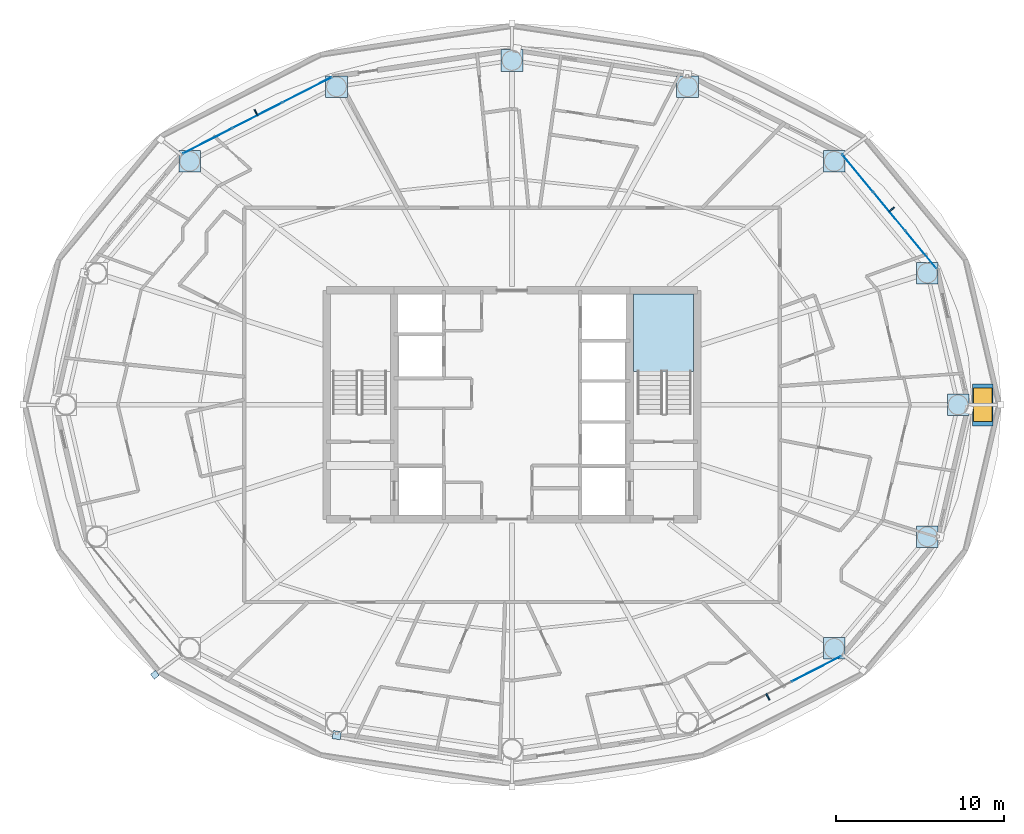
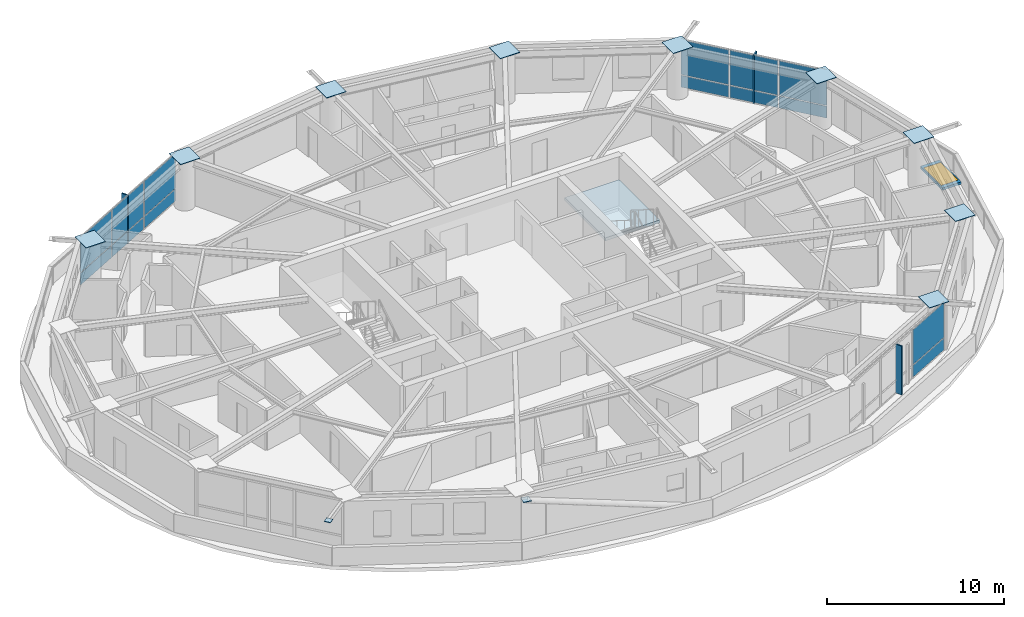
# One storey, part 18 of 27: 28 plates, 2 slabs, 1 door, 1 opening, 4 elements without a shape of their own.
"""IFC4 building model written with IfcOpenShell, lengths in metres."""

from ifc_helpers import new_model, si_unit, direction, frame, origin, origin_2d, place, context, subcontext, project, spatial, polyline, rectangle, outline, extrude, material, layer, layer_set, type_object, element, fill, aggregate, save


model = new_model("IFC4")

# Units and contexts
model_context = context("Model", 3, precision=1e-05, world=origin(), true_north=direction((0.0, 1.0)))
body_context = subcontext(model_context, "Body", "Model", "MODEL_VIEW")
ifc_project = project(units=[si_unit("LENGTHUNIT", "METRE"), si_unit("AREAUNIT", "SQUARE_METRE"), si_unit("VOLUMEUNIT", "CUBIC_METRE"), si_unit("PLANEANGLEUNIT", "RADIAN"), si_unit("MASSUNIT", "GRAM", prefix="KILO")], contexts=[model_context])

# Site, building, storey
site_placement = place(None, origin())
site = spatial("IfcSite", under=ifc_project, at=site_placement, CompositionType="ELEMENT")
building_placement = place(site_placement, origin())
building = spatial("IfcBuilding", under=site, at=building_placement, Name="Sarneth Arch Tower", CompositionType="ELEMENT")
storey_placement = place(building_placement, frame((0.0, 0.0, 150.60009765625)))
storey = spatial("IfcBuildingStorey", under=building, at=storey_placement, Name="L37", CompositionType="ELEMENT", Elevation=150.60009765625)

# Curtain wall, plates
ifc_material_1 = material(Name="Anodised aluminium Type AA25 and solar-control low-e laminated IGU", Category="aluminium")
ifc_layer_1 = layer(ifc_material_1, 0.169921875)
ifc_layer_set_1 = layer_set([ifc_layer_1], Name="Anodised aluminium Type AA25 and solar-control low-e laminated IGU")
curtain_wall_type = type_object("IfcCurtainWallType", Name="CW-RES-MID", PredefinedType="NOTDEFINED", material=ifc_layer_set_1)
curtain_wall_1_placement = place(storey_placement, origin())
curtain_wall_1 = element("IfcCurtainWall", 1, at=curtain_wall_1_placement, inside=storey, type_object=curtain_wall_type, Name="L37 Unitised curtain wall facet 02", PredefinedType="NOTDEFINED")
ifc_material_2 = material(Name="Solar-control low-e laminated IGU", Category="glass")
ifc_layer_2 = layer(ifc_material_2, 0.028076171875)
ifc_layer_set_2 = layer_set([ifc_layer_2], Name="Solar-control low-e laminated IGU")
plate_type_1 = type_object("IfcPlateType", Name="CW-PANEL", PredefinedType="CURTAIN_PANEL", material=ifc_layer_set_2)
plate_1_placement = place(storey_placement, frame((72.280029296875, 51.21826171875, 0.059814453125), z_axis=(0.0, 0.0, 1.0), x_axis=(-0.637330298558, 0.770590741276, 0.0)))
plate_1 = element("IfcPlate", 2, at=plate_1_placement, type_object=plate_type_1, Name="Curtain wall glazed vision pane CW-L37-F02/P00-00", PredefinedType="CURTAIN_PANEL", context=body_context, shape_type="SweptSolid", body=[
    extrude(rectangle(XDim=2.8681640625, YDim=0.028076171875, at=origin_2d()), origin(), (0.0, 0.0, 1.0), 0.81005859375),
])
plate_2_placement = place(storey_placement, frame((72.280029296875, 51.21826171875, 0.93017578125), z_axis=(0.0, 0.0, 1.0), x_axis=(-0.637330298558, 0.770590741276, 0.0)))
plate_2 = element("IfcPlate", 3, at=plate_2_placement, type_object=plate_type_1, Name="Curtain wall glazed vision pane CW-L37-F02/P00-01", PredefinedType="CURTAIN_PANEL", context=body_context, shape_type="SweptSolid", body=[
    extrude(rectangle(XDim=2.8681640625, YDim=0.028076171875, at=origin_2d()), origin(), (0.0, 0.0, 1.0), 2.389892578125),
])
plate_3_placement = place(storey_placement, frame((70.404296875, 53.486328125, 0.059814453125), z_axis=(0.0, 0.0, 1.0), x_axis=(-0.637330298558, 0.770590741276, 0.0)))
plate_3 = element("IfcPlate", 4, at=plate_3_placement, type_object=plate_type_1, Name="Curtain wall glazed vision pane CW-L37-F02/P01-00", PredefinedType="CURTAIN_PANEL", context=body_context, shape_type="SweptSolid", body=[
    extrude(rectangle(XDim=2.898193359375, YDim=0.028076171875, at=origin_2d()), origin(), (0.0, 0.0, 1.0), 0.81005859375),
])
plate_4_placement = place(storey_placement, frame((70.404296875, 53.486328125, 0.93017578125), z_axis=(0.0, 0.0, 1.0), x_axis=(-0.637330298558, 0.770590741276, 0.0)))
plate_4 = element("IfcPlate", 5, at=plate_4_placement, type_object=plate_type_1, Name="Curtain wall glazed vision pane CW-L37-F02/P01-01", PredefinedType="CURTAIN_PANEL", context=body_context, shape_type="SweptSolid", body=[
    extrude(rectangle(XDim=2.898193359375, YDim=0.028076171875, at=origin_2d()), origin(), (0.0, 0.0, 1.0), 2.389892578125),
])
plate_5_placement = place(storey_placement, frame((68.5283203125, 55.75439453125, 0.059814453125), z_axis=(0.0, 0.0, 1.0), x_axis=(-0.637330298558, 0.770590741276, 0.0)))
plate_5 = element("IfcPlate", 6, at=plate_5_placement, type_object=plate_type_1, Name="Curtain wall glazed vision pane CW-L37-F02/P02-00", PredefinedType="CURTAIN_PANEL", context=body_context, shape_type="SweptSolid", body=[
    extrude(rectangle(XDim=2.8681640625, YDim=0.028076171875, at=origin_2d()), origin(), (0.0, 0.0, 1.0), 0.81005859375),
])
plate_6_placement = place(storey_placement, frame((68.5283203125, 55.75439453125, 0.93017578125), z_axis=(0.0, 0.0, 1.0), x_axis=(-0.637330298558, 0.770590741276, 0.0)))
plate_6 = element("IfcPlate", 7, at=plate_6_placement, type_object=plate_type_1, Name="Curtain wall glazed vision pane CW-L37-F02/P02-01", PredefinedType="CURTAIN_PANEL", context=body_context, shape_type="SweptSolid", body=[
    extrude(rectangle(XDim=2.8681640625, YDim=0.028076171875, at=origin_2d()), origin(), (0.0, 0.0, 1.0), 2.389892578125),
])
aggregate(curtain_wall_1, [plate_1, plate_2, plate_3, plate_4, plate_5, plate_6])

curtain_wall_2_placement = place(storey_placement, origin())
curtain_wall_2 = element("IfcCurtainWall", 8, at=curtain_wall_2_placement, inside=storey, type_object=curtain_wall_type, Name="L37 Unitised curtain wall facet 06", PredefinedType="NOTDEFINED")
plate_7_placement = place(storey_placement, frame((35.83837890625, 60.70703125, 0.059814453125), z_axis=(0.0, 0.0, 1.0), x_axis=(-0.88987293003, -0.456208470329, 0.0)))
plate_7 = element("IfcPlate", 9, at=plate_7_placement, type_object=plate_type_1, Name="Curtain wall glazed vision pane CW-L37-F06/P00-00", PredefinedType="CURTAIN_PANEL", context=body_context, shape_type="SweptSolid", body=[
    extrude(rectangle(XDim=3.248779296875, YDim=0.028076171875, at=origin_2d()), origin(), (0.0, 0.0, 1.0), 0.81005859375),
])
plate_8_placement = place(storey_placement, frame((35.83837890625, 60.70703125, 0.93017578125), z_axis=(0.0, 0.0, 1.0), x_axis=(-0.88987293003, -0.456208470329, 0.0)))
plate_8 = element("IfcPlate", 10, at=plate_8_placement, type_object=plate_type_1, Name="Curtain wall glazed vision pane CW-L37-F06/P00-01", PredefinedType="CURTAIN_PANEL", context=body_context, shape_type="SweptSolid", body=[
    extrude(rectangle(XDim=3.248779296875, YDim=0.028076171875, at=origin_2d()), origin(), (0.0, 0.0, 1.0), 2.389892578125),
])
plate_9_placement = place(storey_placement, frame((32.880615234375, 59.190673828125, 0.059814453125), z_axis=(0.0, 0.0, 1.0), x_axis=(-0.88987293003, -0.456208470329, 0.0)))
plate_9 = element("IfcPlate", 11, at=plate_9_placement, type_object=plate_type_1, Name="Curtain wall glazed vision pane CW-L37-F06/P01-00", PredefinedType="CURTAIN_PANEL", context=body_context, shape_type="SweptSolid", body=[
    extrude(rectangle(XDim=3.27880859375, YDim=0.028076171875, at=origin_2d()), origin(), (0.0, 0.0, 1.0), 0.81005859375),
])
plate_10_placement = place(storey_placement, frame((32.880615234375, 59.190673828125, 0.93017578125), z_axis=(0.0, 0.0, 1.0), x_axis=(-0.88987293003, -0.456208470329, 0.0)))
plate_10 = element("IfcPlate", 12, at=plate_10_placement, type_object=plate_type_1, Name="Curtain wall glazed vision pane CW-L37-F06/P01-01", PredefinedType="CURTAIN_PANEL", context=body_context, shape_type="SweptSolid", body=[
    extrude(rectangle(XDim=3.27880859375, YDim=0.028076171875, at=origin_2d()), origin(), (0.0, 0.0, 1.0), 2.389892578125),
])
plate_11_placement = place(storey_placement, frame((29.9228515625, 57.67431640625, 0.059814453125), z_axis=(0.0, 0.0, 1.0), x_axis=(-0.88987293003, -0.456208470329, 0.0)))
plate_11 = element("IfcPlate", 13, at=plate_11_placement, type_object=plate_type_1, Name="Curtain wall glazed vision pane CW-L37-F06/P02-00", PredefinedType="CURTAIN_PANEL", context=body_context, shape_type="SweptSolid", body=[
    extrude(rectangle(XDim=3.248779296875, YDim=0.028076171875, at=origin_2d()), origin(), (0.0, 0.0, 1.0), 0.81005859375),
])
plate_12_placement = place(storey_placement, frame((29.9228515625, 57.67431640625, 0.93017578125), z_axis=(0.0, 0.0, 1.0), x_axis=(-0.88987293003, -0.456208470329, 0.0)))
plate_12 = element("IfcPlate", 14, at=plate_12_placement, type_object=plate_type_1, Name="Curtain wall glazed vision pane CW-L37-F06/P02-01", PredefinedType="CURTAIN_PANEL", context=body_context, shape_type="SweptSolid", body=[
    extrude(rectangle(XDim=3.248779296875, YDim=0.028076171875, at=origin_2d()), origin(), (0.0, 0.0, 1.0), 2.389892578125),
])
aggregate(curtain_wall_2, [plate_7, plate_8, plate_9, plate_10, plate_11, plate_12])

curtain_wall_3_placement = place(storey_placement, origin())
curtain_wall_3 = element("IfcCurtainWall", 15, at=curtain_wall_3_placement, inside=storey, type_object=curtain_wall_type, Name="L37 Unitised curtain wall facet 14", PredefinedType="NOTDEFINED")
plate_13_placement = place(storey_placement, frame((66.0771484375, 26.32568359375, 0.059814453125), z_axis=(0.0, 0.0, 1.0), x_axis=(0.88987293003, 0.456208470329, 0.0)))
plate_13 = element("IfcPlate", 16, at=plate_13_placement, type_object=plate_type_1, Name="Curtain wall glazed vision pane CW-L37-F14/P02-00", PredefinedType="CURTAIN_PANEL", context=body_context, shape_type="SweptSolid", body=[
    extrude(rectangle(XDim=3.248779296875, YDim=0.028076171875, at=origin_2d()), origin(), (0.0, 0.0, 1.0), 0.81005859375),
])
plate_14_placement = place(storey_placement, frame((66.0771484375, 26.32568359375, 0.93017578125), z_axis=(0.0, 0.0, 1.0), x_axis=(0.88987293003, 0.456208470329, 0.0)))
plate_14 = element("IfcPlate", 17, at=plate_14_placement, type_object=plate_type_1, Name="Curtain wall glazed vision pane CW-L37-F14/P02-01", PredefinedType="CURTAIN_PANEL", context=body_context, shape_type="SweptSolid", body=[
    extrude(rectangle(XDim=3.248779296875, YDim=0.028076171875, at=origin_2d()), origin(), (0.0, 0.0, 1.0), 2.389892578125),
])
aggregate(curtain_wall_3, [plate_13, plate_14])

# Plates
ifc_material_3 = material(Name="Steel S355", Category="steel")
ifc_layer_3 = layer(ifc_material_3, 0.035888671875)
ifc_layer_set_3 = layer_set([ifc_layer_3], Name="Steel S355")
plate_type_2 = type_object("IfcPlateType", Name="PLT-GUSSET-30", PredefinedType="SHEET", material=ifc_layer_set_3)
plate_15_placement = place(storey_placement, frame((26.7939453125, 25.9736328125, 3.2021484375), z_axis=(0.0, 0.0, 1.0), x_axis=(-0.797794439539, -0.602929541689, 0.0)))
element("IfcPlate", 18, at=plate_15_placement, inside=storey, type_object=plate_type_2, Name="Steel end cap plate GP-1", PredefinedType="SHEET", context=body_context, shape_type="SweptSolid", body=[
    extrude(rectangle(XDim=0.3798828125, YDim=0.3798828125, at=origin_2d()), origin(), (0.0, 0.0, 1.0), 0.035888671875),
])
plate_16_placement = place(storey_placement, frame((37.595703125, 22.387451171875, 3.03271484375), z_axis=(0.0, 0.0, 1.0), x_axis=(0.98883454203, -0.149017611339, 0.0)))
element("IfcPlate", 19, at=plate_16_placement, inside=storey, type_object=plate_type_2, Name="Steel end cap plate GP-1", PredefinedType="SHEET", context=body_context, shape_type="SweptSolid", body=[
    extrude(rectangle(XDim=0.486083984375, YDim=0.486083984375, at=origin_2d()), origin(), (0.0, 0.0, 1.0), 0.035888671875),
])
ifc_material_4 = material(Name="Steel S355", Category="steel")
ifc_layer_4 = layer(ifc_material_4, 0.0400390625)
ifc_layer_set_4 = layer_set([ifc_layer_4], Name="Steel S355")
plate_type_3 = type_object("IfcPlateType", Name="PLT-SPLICE-40", PredefinedType="SHEET", material=ifc_layer_set_4)
for number, where, z_axis, x_axis, name in (
    (20, (74.487060546875, 42.0, 3.36181640625), (0.0, 0.0, 1.0), (1.0, 0.0, 0.0), "Steel end cap plate GP-2"),
    (21, (72.662109375, 49.825927734375, 3.36181640625), (0.0, 0.0, 1.0), (1.0, 0.0, 0.0), "Steel end cap plate GP-2"),
    (22, (67.1337890625, 56.46044921875, 3.36181640625), (0.0, 0.0, 1.0), (1.0, 0.0, 0.0), "Steel end cap plate GP-2"),
    (23, (58.421875, 60.893310546875, 3.36181640625), (0.0, 0.0, 1.0), (1.0, 0.0, 0.0), "Steel end cap plate GP-2"),
    (24, (48.0, 62.449951171875, 3.36181640625), (0.0, 0.0, 1.0), (1.0, 0.0, 0.0), "Steel end cap plate GP-2"),
    (25, (37.578125, 60.893310546875, 3.36181640625), (0.0, 0.0, 1.0), (1.0, 0.0, 0.0), "Steel end cap plate GP-2"),
    (26, (28.8662109375, 56.46044921875, 3.36181640625), (0.0, 0.0, 1.0), (1.0, 0.0, 0.0), "Steel end cap plate GP-2"),
    (27, (67.1337890625, 27.53955078125, 3.36181640625), (0.0, 0.0, 1.0), (1.0, 0.0, 0.0), "Steel end cap plate GP-2"),
    (28, (72.662109375, 34.174072265625, 3.36181640625), (0.0, 0.0, 1.0), (1.0, 0.0, 0.0), "Steel end cap plate GP-2"),
):
    element("IfcPlate", number, at=place(storey_placement, frame(where, z_axis=z_axis, x_axis=x_axis)), inside=storey, type_object=plate_type_3, Name=name, PredefinedType="SHEET", context=body_context, shape_type="SweptSolid", body=[
        extrude(rectangle(XDim=1.280029296875, YDim=1.280029296875, at=origin_2d()), origin(), (0.0, 0.0, 1.0), 0.035888671875),
    ])
ifc_material_5 = material(Name="Extruded glazed terracotta baguette fin on Aluminium 6063-T6 carrier", Category="masonry")
ifc_layer_5 = layer(ifc_material_5, 0.080078125)
ifc_layer_set_5 = layer_set([ifc_layer_5], Name="Extruded glazed terracotta baguette fin on Aluminium 6063-T6 carrier")
plate_type_4 = type_object("IfcPlateType", Name="SHADE-TERRA-FIN", PredefinedType="SHEET", material=ifc_layer_set_5)
for number, where, z_axis, x_axis, name in (
    (29, (70.53515625, 53.5947265625, 0.009765625), (0.0, 0.0, 1.0), (0.770624482513, 0.637289500111, 0.0), "L37 Terracotta vertical shading fin 02"),
    (30, (32.802978515625, 59.341796875, 0.009765625), (0.0, 0.0, 1.0), (-0.456166281949, 0.889894557357, 0.0), "L37 Terracotta vertical shading fin 06"),
    (31, (63.197021484375, 24.658203125, 0.009765625), (0.0, 0.0, 1.0), (0.456166281949, -0.889894557357, 0.0), "L37 Terracotta vertical shading fin 14"),
):
    element("IfcPlate", number, at=place(storey_placement, frame(where, z_axis=z_axis, x_axis=x_axis)), inside=storey, type_object=plate_type_4, Name=name, PredefinedType="SHEET", context=body_context, shape_type="SweptSolid", body=[
        extrude(rectangle(XDim=0.419921875, YDim=0.080078125, at=origin_2d()), origin(), (0.0, 0.0, 1.0), 3.360107421875),
    ])

# Slab, opening, door
ifc_material_6 = material(Name="Concrete C50/60", Category="concrete")
ifc_layer_6 = layer(ifc_material_6, 0.159912109375)
ifc_layer_set_6 = layer_set([ifc_layer_6], Name="Concrete C50/60")
slab_type_1 = type_object("IfcSlabType", Name="SLAB-KERB-160", PredefinedType="ROOF", material=ifc_layer_set_6)
slab_1_placement = place(storey_placement, origin())
slab_1 = element("IfcSlab", 32, at=slab_1_placement, inside=storey, type_object=slab_type_1, Name="L37 Roof hatch upstand kerb HATCH-L37-SET", PredefinedType="ROOF", context=body_context, shape_type="SweptSolid", body=[
    extrude(outline(polyline([(75.330078125, 40.75), (76.570068359375, 40.75), (76.570068359375, 43.25), (75.330078125, 43.25), (75.330078125, 40.75)]), holes=[polyline([(75.39990234375, 41.0), (76.5, 41.0), (76.5, 43.0), (75.39990234375, 43.0), (75.39990234375, 41.0)])]), origin(), (0.0, 0.0, 1.0), 0.159912109375),
])
opening_placement = place(slab_1_placement, frame((75.949951171875, 42.0, 0.0)))
opening = element("IfcOpeningElement", 33, at=opening_placement, cuts=slab_1, Name="Opening RH-1", PredefinedType="OPENING", context=body_context, shape_type="SweptSolid", body=[
    extrude(rectangle(XDim=1.10009765625, YDim=2.0, at=origin_2d()), origin(), (0.0, 0.0, 1.0), 0.159912109375),
])
ifc_material_7 = material(Name="Thermally broken Aluminium 6063-T6 and laminated safety glass", Category="aluminium")
door_type = type_object("IfcDoorType", Name="DR-ROOF-HATCH", OperationType="SINGLE_SWING_LEFT", PredefinedType="TRAPDOOR", material=ifc_material_7)
door_placement = place(opening_placement, frame((0.0, 0.0, 0.10986328125)))
door = element("IfcDoor", 34, at=door_placement, inside=storey, type_object=door_type, Name="L37 Maintenance Roof Access Hatch HATCH-L37-SET", OperationType="SINGLE_SWING_LEFT", OverallHeight=2.0, OverallWidth=1.10009765625, PredefinedType="TRAPDOOR", context=body_context, shape_type="SweptSolid", body=[
    extrude(rectangle(XDim=1.10009765625, YDim=2.0, at=origin_2d()), origin(), (0.0, 0.0, 1.0), 0.050048828125),
])
fill(opening, door)

# Stair, slab
ifc_material_8 = material(Name="Concrete C50/60", Category="concrete")
stair_type = type_object("IfcStairType", Name="STAIR-CORE-RC", PredefinedType="HALF_TURN_STAIR", material=ifc_material_8)
stair_placement = place(storey_placement, origin())
stair = element("IfcStair", 35, at=stair_placement, inside=storey, type_object=stair_type, Name="L37 Core Exit Stair 2", PredefinedType="HALF_TURN_STAIR")
ifc_material_9 = material(Name="Concrete C50/60", Category="concrete")
ifc_layer_7 = layer(ifc_material_9, 0.199951171875)
ifc_layer_set_7 = layer_set([ifc_layer_7], Name="Concrete C50/60")
slab_type_2 = type_object("IfcSlabType", Name="SLAB-LANDING-200", PredefinedType="LANDING", material=ifc_layer_set_7)
slab_2_placement = place(storey_placement, frame((0.0, 0.0, 1.599853515625)))
slab_2 = element("IfcSlab", 36, at=slab_2_placement, type_object=slab_type_2, Name="ST-2 landing 1", PredefinedType="LANDING", context=body_context, shape_type="SweptSolid", body=[
    extrude(outline(polyline([(55.22509765625, 43.985107421875), (58.77490234375, 43.985107421875), (58.77490234375, 48.574951171875), (55.22509765625, 48.574951171875), (55.22509765625, 43.985107421875)])), origin(), (0.0, 0.0, 1.0), 0.199951171875),
])
aggregate(stair, [slab_2])

save(model, "model.ifc")
